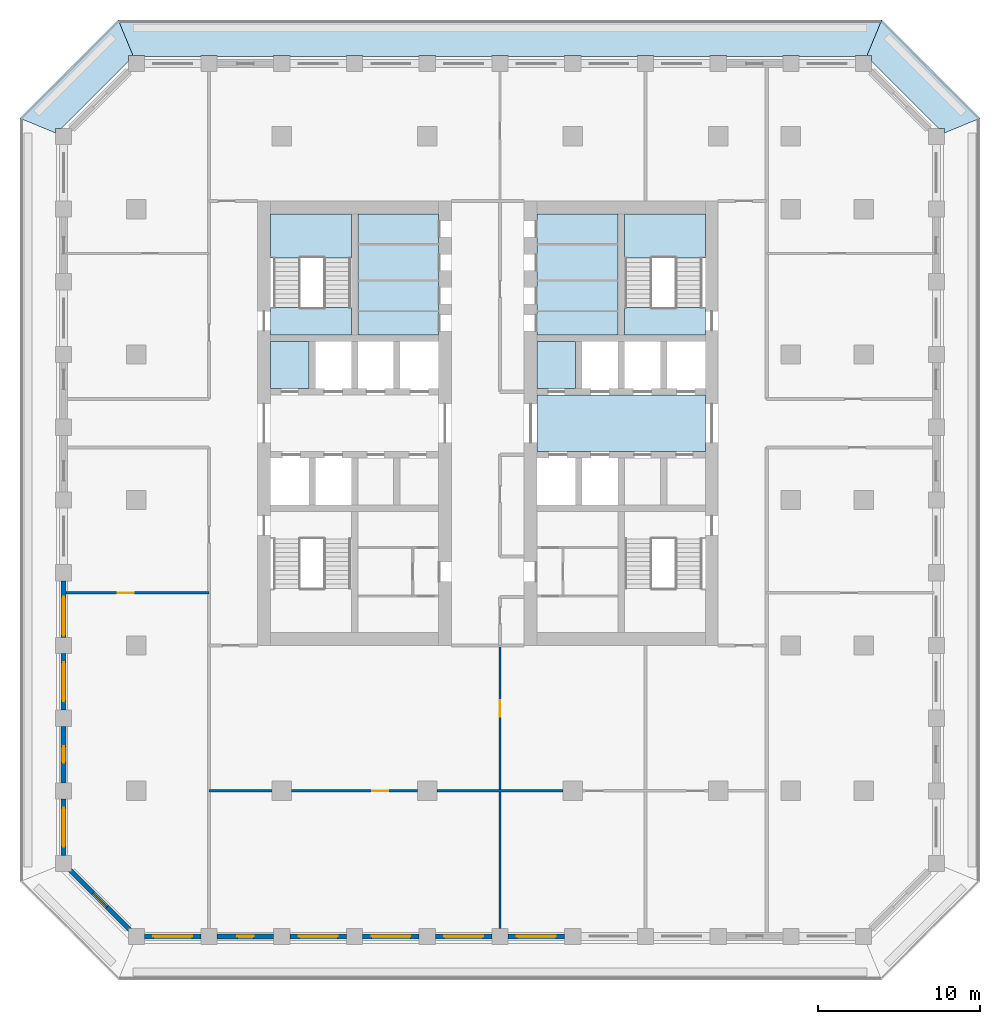
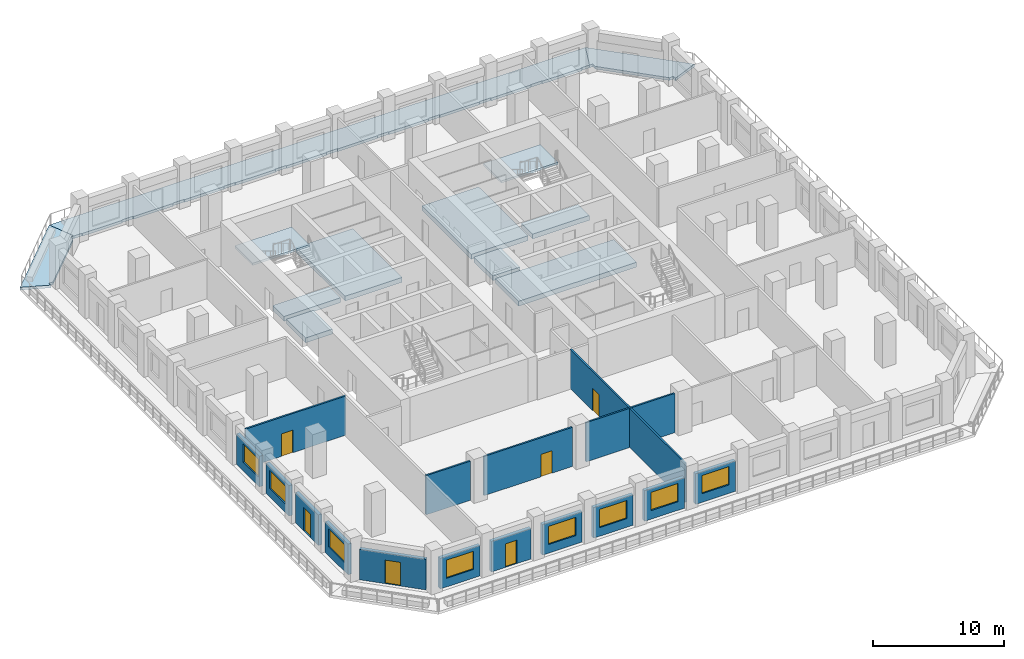
# One storey, part 2 of 16: 16 walls, 12 slabs, 8 windows, 6 doors, 14 openings, 2 elements without a shape of their own.
"""IFC4 building model written with IfcOpenShell, lengths in metres."""

import ifcopenshell
import ifcopenshell.guid

model = None  # the IFC model being written
_history = None  # IfcOwnerHistory: only IFC2X3 demands one
_inside = {}  # id of a spatial element -> (the spatial element, [elements in it])
_under = {}  # id of a project, library or spatial element -> (it, [spatial elements below it])
_declared = {}  # id of a project -> (the project, [libraries it declares])
_typed = {}  # id of a type object -> (the type object, [elements of that type])
_made_of = {}  # id of a material, layer set ... -> (it, [elements and type objects made of it])


def new_model(schema):
    """Start an empty IFC model of exactly this schema.

    Asked for "IFC4X3", IfcOpenShell would pick the latest addendum, in which some entities
    have other attributes; the version numbers below select the first issue.
    IFC2X3 requires an IfcOwnerHistory on every rooted entity: one is made here for all.
    """
    global model, _history
    if schema == "IFC4X3":
        model = ifcopenshell.file(schema_version=(4, 3, 0, 0))
    else:
        model = ifcopenshell.file(schema=schema)
    _inside.clear()
    _under.clear()
    _declared.clear()
    _typed.clear()
    _made_of.clear()
    _history = None
    if model.schema == "IFC2X3":
        org = make("IfcOrganization", Name="unknown")
        user = make(
            "IfcPersonAndOrganization",
            ThePerson=make("IfcPerson", FamilyName="unknown"),
            TheOrganization=org,
        )
        app = make(
            "IfcApplication",
            ApplicationDeveloper=org,
            Version="unknown",
            ApplicationFullName="unknown",
            ApplicationIdentifier="unknown",
        )
        _history = make(
            "IfcOwnerHistory",
            OwningUser=user,
            OwningApplication=app,
            ChangeAction="ADDED",
            CreationDate=0,
        )
    return model


def make(cls, **values):
    """One entity of the class cls with the attributes given. An attribute that is None is left unset."""
    return model.create_entity(
        cls, **{name: value for name, value in values.items() if value is not None}
    )


def rooted(cls, **values):
    """An entity with a GlobalId (a new one), such as an element, a storey or a relation."""
    return make(cls, GlobalId=ifcopenshell.guid.new(), OwnerHistory=_history, **values)


def si_unit(unit_type, name, prefix=None):
    """IfcSIUnit, for example si_unit("LENGTHUNIT", "METRE", prefix="MILLI")."""
    return make("IfcSIUnit", UnitType=unit_type, Prefix=prefix, Name=name)


def assignment(units):
    """IfcUnitAssignment: the units of a project."""
    return None if units is None else make("IfcUnitAssignment", Units=units)


def point(xyz):
    """IfcCartesianPoint."""
    return None if xyz is None else make("IfcCartesianPoint", Coordinates=xyz)


def direction(xyz):
    """IfcDirection."""
    return None if xyz is None else make("IfcDirection", DirectionRatios=xyz)


def frame(location, z_axis=None, x_axis=None):
    """IfcAxis2Placement3D, a coordinate frame: its origin and axes. An axis left out is left unset."""
    return make(
        "IfcAxis2Placement3D",
        Location=point(location),
        Axis=direction(z_axis),
        RefDirection=direction(x_axis),
    )


def frame_2d(location, x_axis=None):
    """IfcAxis2Placement2D, a coordinate frame in the plane: its origin and x axis."""
    return make(
        "IfcAxis2Placement2D", Location=point(location), RefDirection=direction(x_axis)
    )


def origin():
    """The frame at (0, 0, 0) with its axes left unset."""
    return frame((0.0, 0.0, 0.0))


def place(relative_to, where):
    """IfcLocalPlacement: puts the frame where relative to a parent placement (None: the world)."""
    return make(
        "IfcLocalPlacement", PlacementRelTo=relative_to, RelativePlacement=where
    )


def context(
    kind, dimensions, precision=None, world=None, true_north=None, identifier=None
):
    """IfcGeometricRepresentationContext, for example the 3D "Model" context."""
    return make(
        "IfcGeometricRepresentationContext",
        ContextIdentifier=identifier,
        ContextType=kind,
        CoordinateSpaceDimension=dimensions,
        Precision=precision,
        WorldCoordinateSystem=world,
        TrueNorth=true_north,
    )


def subcontext(parent, identifier, kind, view, scale=None):
    """IfcGeometricRepresentationSubContext, for example "Body" below "Model"."""
    return make(
        "IfcGeometricRepresentationSubContext",
        ContextIdentifier=identifier,
        ContextType=kind,
        ParentContext=parent,
        TargetScale=scale,
        TargetView=view,
    )


def project(units=None, contexts=None):
    """IfcProject with its units and contexts."""
    return rooted(
        "IfcProject",
        Name="project",
        RepresentationContexts=contexts,
        UnitsInContext=assignment(units),
    )


def spatial(cls, under=None, at=None, **own):
    """A site, building, storey or space (cls), placed at a placement, below another one or the project."""
    s = rooted(cls, ObjectPlacement=at, **own)
    if under is not None:
        _under.setdefault(under.id(), (under, []))[1].append(s)
    return s


def polyline(points):
    """IfcPolyline through the points."""
    return make("IfcPolyline", Points=[point(p) for p in points])


def profile(cls, at=None, kind="AREA", **sizes):
    """A parametric profile (cls). Its sizes go by their IFC names, for example OverallWidth=200.0."""
    return make(cls, ProfileType=kind, Position=at, **sizes)


def rectangle(**sizes):
    """IfcRectangleProfileDef."""
    return profile("IfcRectangleProfileDef", **sizes)


def outline(outer, holes=None, kind="AREA"):
    """IfcArbitraryClosedProfileDef: a profile drawn as a closed curve; with holes, ...WithVoids."""
    if holes is None:
        return make("IfcArbitraryClosedProfileDef", ProfileType=kind, OuterCurve=outer)
    return make(
        "IfcArbitraryProfileDefWithVoids",
        ProfileType=kind,
        OuterCurve=outer,
        InnerCurves=holes,
    )


def extrude(swept, where, along, depth):
    """IfcExtrudedAreaSolid: the profile swept, set in the frame where, extruded along a direction by depth."""
    return make(
        "IfcExtrudedAreaSolid",
        SweptArea=swept,
        Position=where,
        ExtrudedDirection=direction(along),
        Depth=depth,
    )


def shape(context_of_items, identifier, shape_type, items):
    """IfcShapeRepresentation: the items that make up one representation, for example the "Body"."""
    return make(
        "IfcShapeRepresentation",
        ContextOfItems=context_of_items,
        RepresentationIdentifier=identifier,
        RepresentationType=shape_type,
        Items=items,
    )


def material(Name=None, Category=None):
    """IfcMaterial."""
    return make("IfcMaterial", Name=Name, Category=Category)


def layer(
    of_material, thickness, ventilated=None, Name=None, Category=None, Priority=None
):
    """IfcMaterialLayer: one layer of a wall or slab, of a material (None: an air gap)."""
    return make(
        "IfcMaterialLayer",
        Material=of_material,
        LayerThickness=thickness,
        IsVentilated=ventilated,
        Name=Name,
        Category=Category,
        Priority=Priority,
    )


def layer_set(layers, Name=None):
    """IfcMaterialLayerSet."""
    return make("IfcMaterialLayerSet", MaterialLayers=layers, LayerSetName=Name)


def made_of(thing, what):
    """Note that an element or type object is made of a material, layer set ...; save() writes the relation."""
    if what is not None:
        _made_of.setdefault(what.id(), (what, []))[1].append(thing)
    return thing


def type_object(cls, material=None, **own):
    """A type object (cls), such as IfcWallType, which elements share."""
    return made_of(rooted(cls, **own), material)


def element(
    cls,
    number,
    at=None,
    inside=None,
    cuts=None,
    type_object=None,
    material=None,
    context=None,
    identifier="Body",
    shape_type=None,
    held_by="IfcProductDefinitionShape",
    body=None,
    shapes=None,
    **own,
):
    """One element of the class cls, such as IfcWall. Its Tag is "e" and its number.

    at: its placement. inside: the storey or other place that contains it. cuts: it is an
    opening in that element (IfcRelVoidsElement). A single representation is given by context,
    identifier, shape_type and body (its items); several are given by shapes. held_by: the class
    of the entity that holds the representations. save() writes the other relations.
    """
    e = rooted(cls, Tag="e%d" % number, ObjectPlacement=at, **own)
    if body is not None:
        shapes = [shape(context, identifier, shape_type, body)]
    if shapes is not None:
        e.Representation = make(held_by, Representations=shapes)
    if inside is not None:
        _inside.setdefault(inside.id(), (inside, []))[1].append(e)
    if cuts is not None:
        rooted(
            "IfcRelVoidsElement", RelatingBuildingElement=cuts, RelatedOpeningElement=e
        )
    if type_object is not None:
        _typed.setdefault(type_object.id(), (type_object, []))[1].append(e)
    return made_of(e, material)


def fill(opening, filler):
    """IfcRelFillsElement: the door or window that sits in an opening."""
    return rooted(
        "IfcRelFillsElement",
        RelatingOpeningElement=opening,
        RelatedBuildingElement=filler,
    )


def aggregate(whole, parts):
    """IfcRelAggregates: a whole, such as a stair, and the parts it consists of."""
    return rooted("IfcRelAggregates", RelatingObject=whole, RelatedObjects=parts)


def save(model, path):
    """Write the relations noted so far, then the file.

    IfcRelAggregates (storeys below a building ...), IfcRelContainedInSpatialStructure (elements
    in a storey), IfcRelDefinesByType, IfcRelAssociatesMaterial and IfcRelDeclares: one each for
    every whole, place, type object, material and project.
    """
    for whole, parts in _under.values():
        aggregate(whole, parts)
    for where, things in _inside.values():
        rooted(
            "IfcRelContainedInSpatialStructure",
            RelatedElements=things,
            RelatingStructure=where,
        )
    for kind, things in _typed.values():
        rooted("IfcRelDefinesByType", RelatedObjects=things, RelatingType=kind)
    for what, things in _made_of.values():
        rooted("IfcRelAssociatesMaterial", RelatedObjects=things, RelatingMaterial=what)
    for by, libraries in _declared.values():
        rooted("IfcRelDeclares", RelatingContext=by, RelatedDefinitions=libraries)
    model.write(path)


model = new_model("IFC4")

# Units and contexts
model_context = context("Model", 3, precision=1e-05, world=origin(), true_north=direction((0.0, 1.0)))
body_context = subcontext(model_context, "Body", "Model", "MODEL_VIEW")
ifc_project = project(units=[si_unit("LENGTHUNIT", "METRE"), si_unit("AREAUNIT", "SQUARE_METRE"), si_unit("VOLUMEUNIT", "CUBIC_METRE"), si_unit("PLANEANGLEUNIT", "RADIAN"), si_unit("MASSUNIT", "GRAM", prefix="KILO")], contexts=[model_context])

# Site, building, storey
site_placement = place(None, origin())
site = spatial("IfcSite", under=ifc_project, at=site_placement, CompositionType="ELEMENT")
building_placement = place(site_placement, origin())
building = spatial("IfcBuilding", under=site, at=building_placement, Name="Corbel Stack Research Tower", CompositionType="ELEMENT")
storey_placement = place(building_placement, frame((0.0, 0.0, 195.60009765625)))
storey = spatial("IfcBuildingStorey", under=building, at=storey_placement, Name="L44", CompositionType="ELEMENT", Elevation=195.60009765625)

# Slabs
ifc_material_1 = material(Name="Concrete C45/55", Category="concrete")
ifc_layer_1 = layer(ifc_material_1, 0.25)
ifc_layer_set_1 = layer_set([ifc_layer_1], Name="Concrete C45/55")
slab_type_1 = type_object("IfcSlabType", Name="PT balcony slab 250 C45/55", PredefinedType="FLOOR", material=ifc_layer_set_1)
slab_1_placement = place(storey_placement, frame((0.0, 0.0, -0.25)))
element("IfcSlab", 1, at=slab_1_placement, inside=storey, type_object=slab_type_1, Name="Loggia slab L44 NE", PredefinedType="FLOOR", context=body_context, shape_type="SweptSolid", body=[
    extrude(outline(polyline([(27.20703125, 27.5), (27.5, 27.5), (27.5, 27.136474609375), (31.636474609375, 23.0), (32.0, 23.0), (32.0, 22.70703125), (34.199951171875, 23.618408203125), (28.118408203125, 29.699951171875), (27.20703125, 27.5)])), origin(), (0.0, 0.0, 1.0), 0.25),
])
slab_2_placement = place(storey_placement, frame((0.0, 0.0, -0.25)))
element("IfcSlab", 2, at=slab_2_placement, inside=storey, type_object=slab_type_1, Name="Loggia slab L44 N", PredefinedType="FLOOR", context=body_context, shape_type="SweptSolid", body=[
    extrude(outline(polyline([(-18.20703125, 27.5), (-17.5, 27.5), (-17.5, 27.449951171875), (-14.0, 27.449951171875), (-14.0, 27.5), (-13.0, 27.5), (-13.0, 27.449951171875), (-9.5, 27.449951171875), (-9.5, 27.5), (-8.5, 27.5), (-8.5, 27.449951171875), (-5.0, 27.449951171875), (-5.0, 27.5), (-4.0, 27.5), (-4.0, 27.449951171875), (-0.5, 27.449951171875), (-0.5, 27.5), (0.5, 27.5), (0.5, 27.449951171875), (4.0, 27.449951171875), (4.0, 27.5), (5.0, 27.5), (5.0, 27.449951171875), (8.5, 27.449951171875), (8.5, 27.5), (9.5, 27.5), (9.5, 27.449951171875), (13.0, 27.449951171875), (13.0, 27.5), (14.0, 27.5), (14.0, 27.449951171875), (17.5, 27.449951171875), (17.5, 27.5), (18.5, 27.5), (18.5, 27.449951171875), (22.0, 27.449951171875), (22.0, 27.5), (23.0, 27.5), (23.0, 27.449951171875), (26.5, 27.449951171875), (26.5, 27.5), (27.20703125, 27.5), (28.118408203125, 29.699951171875), (-19.118408203125, 29.699951171875), (-18.20703125, 27.5)])), origin(), (0.0, 0.0, 1.0), 0.25),
])
slab_3_placement = place(storey_placement, frame((0.0, 0.0, -0.25)))
element("IfcSlab", 3, at=slab_3_placement, inside=storey, type_object=slab_type_1, Name="Loggia slab L44 NW", PredefinedType="FLOOR", context=body_context, shape_type="SweptSolid", body=[
    extrude(outline(polyline([(-23.0, 22.70703125), (-23.0, 23.0), (-22.636474609375, 23.0), (-18.5, 27.136474609375), (-18.5, 27.5), (-18.20703125, 27.5), (-19.118408203125, 29.699951171875), (-25.199951171875, 23.618408203125), (-23.0, 22.70703125)])), origin(), (0.0, 0.0, 1.0), 0.25),
])
ifc_material_2 = material(Name="Concrete C45/55", Category="concrete")
ifc_layer_2 = layer(ifc_material_2, 0.449951171875)
ifc_layer_set_2 = layer_set([ifc_layer_2], Name="Concrete C45/55")
slab_type_2 = type_object("IfcSlabType", Name="PT-450", PredefinedType="FLOOR", material=ifc_layer_set_2)
slab_4_placement = place(storey_placement, frame((0.0, 0.0, -0.4501953125)))
element("IfcSlab", 4, at=slab_4_placement, inside=storey, type_object=slab_type_2, Name="West core floor L44", PredefinedType="FLOOR", context=body_context, shape_type="SweptSolid", body=[
    extrude(outline(polyline([(-9.699951171875, 6.89990234375), (-7.324951171875, 6.89990234375), (-7.324951171875, 9.800048828125), (-9.699951171875, 9.800048828125), (-9.699951171875, 6.89990234375)])), origin(), (0.0, 0.0, 1.0), 0.4501953125),
])
slab_5_placement = place(storey_placement, frame((0.0, 0.0, -0.4501953125)))
element("IfcSlab", 5, at=slab_5_placement, inside=storey, type_object=slab_type_2, Name="West core floor L44", PredefinedType="FLOOR", context=body_context, shape_type="SweptSolid", body=[
    extrude(outline(polyline([(0.699951171875, 17.699951171875), (-4.300048828125, 17.699951171875), (-4.300048828125, 10.199951171875), (0.699951171875, 10.199951171875), (0.699951171875, 17.699951171875)])), origin(), (0.0, 0.0, 1.0), 0.4501953125),
])
slab_6_placement = place(storey_placement, frame((0.0, 0.0, -0.4501953125)))
element("IfcSlab", 6, at=slab_6_placement, inside=storey, type_object=slab_type_2, Name="East core floor L44", PredefinedType="FLOOR", context=body_context, shape_type="SweptSolid", body=[
    extrude(outline(polyline([(17.199951171875, 6.5), (6.800048828125, 6.5), (6.800048828125, 3.0), (17.199951171875, 3.0), (17.199951171875, 6.5)])), origin(), (0.0, 0.0, 1.0), 0.4501953125),
])
slab_7_placement = place(storey_placement, frame((0.0, 0.0, -0.4501953125)))
element("IfcSlab", 7, at=slab_7_placement, inside=storey, type_object=slab_type_2, Name="East core floor L44", PredefinedType="FLOOR", context=body_context, shape_type="SweptSolid", body=[
    extrude(outline(polyline([(6.800048828125, 6.89990234375), (9.175048828125, 6.89990234375), (9.175048828125, 9.800048828125), (6.800048828125, 9.800048828125), (6.800048828125, 6.89990234375)])), origin(), (0.0, 0.0, 1.0), 0.4501953125),
])
slab_8_placement = place(storey_placement, frame((0.0, 0.0, -0.4501953125)))
element("IfcSlab", 8, at=slab_8_placement, inside=storey, type_object=slab_type_2, Name="East core floor L44", PredefinedType="FLOOR", context=body_context, shape_type="SweptSolid", body=[
    extrude(outline(polyline([(6.800048828125, 17.699951171875), (6.800048828125, 10.199951171875), (11.800048828125, 10.199951171875), (11.800048828125, 17.699951171875), (6.800048828125, 17.699951171875)])), origin(), (0.0, 0.0, 1.0), 0.4501953125),
])
slab_9_placement = place(storey_placement, frame((0.0, 0.0, -0.4501953125)))
element("IfcSlab", 9, at=slab_9_placement, inside=storey, type_object=slab_type_2, Name="Stair floor landing ST-W2", PredefinedType="FLOOR", context=body_context, shape_type="SweptSolid", body=[
    extrude(outline(polyline([(-9.699951171875, 10.199951171875), (-4.699951171875, 10.199951171875), (-4.699951171875, 11.89990234375), (-9.699951171875, 11.89990234375), (-9.699951171875, 10.199951171875)])), origin(), (0.0, 0.0, 1.0), 0.4501953125),
])
slab_10_placement = place(storey_placement, frame((0.0, 0.0, -0.4501953125)))
element("IfcSlab", 10, at=slab_10_placement, inside=storey, type_object=slab_type_2, Name="Stair floor landing ST-E2", PredefinedType="FLOOR", context=body_context, shape_type="SweptSolid", body=[
    extrude(outline(polyline([(12.199951171875, 10.199951171875), (17.199951171875, 10.199951171875), (17.199951171875, 11.89990234375), (12.199951171875, 11.89990234375), (12.199951171875, 10.199951171875)])), origin(), (0.0, 0.0, 1.0), 0.4501953125),
])

# Stair, slab
ifc_material_3 = material(Name="Concrete C40/50", Category="concrete")
stair_type = type_object("IfcStairType", Name="Exit stair 24 risers", PredefinedType="HALF_TURN_STAIR", material=ifc_material_3)
stair_1_placement = place(storey_placement, origin())
stair_1 = element("IfcStair", 11, at=stair_1_placement, inside=storey, type_object=stair_type, Name="L44 Exit stair ST-W2", PredefinedType="HALF_TURN_STAIR")
ifc_material_4 = material(Name="Concrete C40/50", Category="concrete")
ifc_layer_3 = layer(ifc_material_4, 0.199951171875)
ifc_layer_set_3 = layer_set([ifc_layer_3], Name="Concrete C40/50")
slab_type_3 = type_object("IfcSlabType", Name="Stair landing 200 C40/50", PredefinedType="LANDING", material=ifc_layer_set_3)
slab_11_placement = place(storey_placement, frame((0.0, 0.0, 1.849853515625)))
slab_11 = element("IfcSlab", 12, at=slab_11_placement, type_object=slab_type_3, Name="ST-W2 landing 1", PredefinedType="LANDING", context=body_context, shape_type="SweptSolid", body=[
    extrude(outline(polyline([(-9.699951171875, 14.97998046875), (-9.699951171875, 17.699951171875), (-4.699951171875, 17.699951171875), (-4.699951171875, 14.97998046875), (-9.699951171875, 14.97998046875)])), origin(), (0.0, 0.0, 1.0), 0.199951171875),
])
aggregate(stair_1, [slab_11])

stair_2_placement = place(storey_placement, origin())
stair_2 = element("IfcStair", 13, at=stair_2_placement, inside=storey, type_object=stair_type, Name="L44 Exit stair ST-E2", PredefinedType="HALF_TURN_STAIR")
slab_12_placement = place(storey_placement, frame((0.0, 0.0, 1.849853515625)))
slab_12 = element("IfcSlab", 14, at=slab_12_placement, type_object=slab_type_3, Name="ST-E2 landing 1", PredefinedType="LANDING", context=body_context, shape_type="SweptSolid", body=[
    extrude(outline(polyline([(12.199951171875, 14.97998046875), (12.199951171875, 17.699951171875), (17.199951171875, 17.699951171875), (17.199951171875, 14.97998046875), (12.199951171875, 14.97998046875)])), origin(), (0.0, 0.0, 1.0), 0.199951171875),
])
aggregate(stair_2, [slab_12])

# Wall, opening, door
ifc_material_5 = material(Name="Fire-rated gypsum board partition on steel studs", Category="steel")
ifc_layer_4 = layer(ifc_material_5, 0.14990234375)
ifc_layer_set_4 = layer_set([ifc_layer_4], Name="Fire-rated gypsum board partition on steel studs")
wall_type_1 = type_object("IfcWallType", Name="Fire-rated partition 150 EI 60", PredefinedType="PARTITIONING", material=ifc_layer_set_4)
wall_1_placement = place(storey_placement, frame((4.5, -9.0, 0.0), z_axis=(0.0, 0.0, 1.0), x_axis=(0.0, -1.0, 0.0)))
wall_1 = element("IfcWall", 15, at=wall_1_placement, inside=storey, type_object=wall_type_1, Name="Partition L44-003", PredefinedType="PARTITIONING", context=body_context, shape_type="SweptSolid", body=[
    extrude(rectangle(XDim=17.5, YDim=0.14990234375, at=frame_2d((8.75, 0.0))), origin(), (0.0, 0.0, 1.0), 3.64990234375),
])
opening_1_placement = place(wall_1_placement, frame((3.39990234375, 0.0, 0.0)))
opening_1 = element("IfcOpeningElement", 16, at=opening_1_placement, cuts=wall_1, Name="Opening B6V0-011", PredefinedType="OPENING", context=body_context, shape_type="SweptSolid", body=[
    extrude(rectangle(XDim=1.0, YDim=2.10009765625, at=frame_2d((0.5, 1.050048828125))), frame((0.0, 0.0849609375, 0.0), z_axis=(0.0, -1.0, 0.0), x_axis=(1.0, 0.0, 0.0)), (0.0, 0.0, 1.0), 0.169921875),
])
ifc_material_6 = material(Name="Painted steel fire door", Category="steel")
door_type_1 = type_object("IfcDoorType", Name="Fire door FD30S 1000 x 2100", OperationType="NOTDEFINED", PredefinedType="DOOR", material=ifc_material_6)
door_1_placement = place(opening_1_placement, origin())
door_1 = element("IfcDoor", 17, at=door_1_placement, inside=storey, type_object=door_type_1, Name="Door B6V0-011", OperationType="SINGLE_SWING_LEFT", OverallHeight=2.10009765625, OverallWidth=1.0, PredefinedType="DOOR", context=body_context, shape_type="SweptSolid", body=[
    extrude(rectangle(XDim=1.0, YDim=2.10009765625, at=frame_2d((0.5, 1.050048828125))), frame((0.0, 0.02490234375, 0.0), z_axis=(0.0, -1.0, 0.0), x_axis=(1.0, 0.0, 0.0)), (0.0, 0.0, 1.0), 0.050048828125),
])
fill(opening_1, door_1)

# Wall
ifc_material_7 = material(Name="Gypsum board partition on steel studs", Category="steel")
ifc_layer_5 = layer(ifc_material_7, 0.14990234375)
ifc_layer_set_5 = layer_set([ifc_layer_5], Name="Gypsum board partition on steel studs")
wall_type_2 = type_object("IfcWallType", Name="Partition 150", PredefinedType="PARTITIONING", material=ifc_layer_set_5)
wall_2_placement = place(storey_placement, frame((-13.5, -18.0, 0.0), z_axis=(0.0, 0.0, 1.0), x_axis=(1.0, 0.0, 0.0)))
element("IfcWall", 18, at=wall_2_placement, inside=storey, type_object=wall_type_2, Name="Partition L44-012", PredefinedType="PARTITIONING", context=body_context, shape_type="SweptSolid", body=[
    extrude(rectangle(XDim=3.89990234375, YDim=0.14990234375, at=frame_2d((1.949951171875, 0.0))), origin(), (0.0, 0.0, 1.0), 3.64990234375),
])

# Wall, opening, door
wall_3_placement = place(storey_placement, frame((-0.60009765625, -18.0, 0.0), z_axis=(0.0, 0.0, 1.0), x_axis=(-1.0, 0.0, 0.0)))
wall_3 = element("IfcWall", 19, at=wall_3_placement, inside=storey, type_object=wall_type_2, Name="Partition L44-013", PredefinedType="PARTITIONING", context=body_context, shape_type="SweptSolid", body=[
    extrude(rectangle(XDim=7.7998046875, YDim=0.14990234375, at=frame_2d((3.89990234375, 0.0))), origin(), (0.0, 0.0, 1.0), 3.64990234375),
])
opening_2_placement = place(wall_3_placement, frame((1.800048828125, 0.0, 0.0)))
opening_2 = element("IfcOpeningElement", 20, at=opening_2_placement, cuts=wall_3, Name="Opening B6V0-001", PredefinedType="OPENING", context=body_context, shape_type="SweptSolid", body=[
    extrude(rectangle(XDim=1.0, YDim=2.10009765625, at=frame_2d((0.5, 1.050048828125))), frame((0.0, 0.0849609375, 0.0), z_axis=(0.0, -1.0, 0.0), x_axis=(1.0, 0.0, 0.0)), (0.0, 0.0, 1.0), 0.169921875),
])
ifc_material_8 = material(Name="Painted timber door", Category="wood")
door_type_2 = type_object("IfcDoorType", Name="Single door 1000 x 2100", OperationType="NOTDEFINED", PredefinedType="DOOR", material=ifc_material_8)
door_2_placement = place(opening_2_placement, origin())
door_2 = element("IfcDoor", 21, at=door_2_placement, inside=storey, type_object=door_type_2, Name="Door B6V0-001", OperationType="SINGLE_SWING_LEFT", OverallHeight=2.10009765625, OverallWidth=1.0, PredefinedType="DOOR", context=body_context, shape_type="SweptSolid", body=[
    extrude(rectangle(XDim=1.0, YDim=2.10009765625, at=frame_2d((0.5, 1.050048828125))), frame((0.0, 0.02490234375, 0.0), z_axis=(0.0, -1.0, 0.0), x_axis=(1.0, 0.0, 0.0)), (0.0, 0.0, 1.0), 0.050048828125),
])
fill(opening_2, door_2)

# Wall
wall_4_placement = place(storey_placement, frame((0.60009765625, -18.0, 0.0), z_axis=(0.0, 0.0, 1.0), x_axis=(1.0, 0.0, 0.0)))
element("IfcWall", 22, at=wall_4_placement, inside=storey, type_object=wall_type_2, Name="Partition L44-014", PredefinedType="PARTITIONING", context=body_context, shape_type="SweptSolid", body=[
    extrude(rectangle(XDim=7.7998046875, YDim=0.14990234375, at=frame_2d((3.89990234375, 0.0))), origin(), (0.0, 0.0, 1.0), 3.64990234375),
])

# Wall, opening, door
wall_5_placement = place(storey_placement, frame((-13.5, -5.75, 0.0), z_axis=(0.0, 0.0, 1.0), x_axis=(-1.0, 0.0, 0.0)))
wall_5 = element("IfcWall", 23, at=wall_5_placement, inside=storey, type_object=wall_type_2, Name="Partition L44-021", PredefinedType="PARTITIONING", context=body_context, shape_type="SweptSolid", body=[
    extrude(rectangle(XDim=8.85009765625, YDim=0.14990234375, at=frame_2d((4.425048828125, 0.0))), origin(), (0.0, 0.0, 1.0), 3.64990234375),
])
opening_3_placement = place(wall_5_placement, frame((4.64990234375, 0.0, 0.0)))
opening_3 = element("IfcOpeningElement", 24, at=opening_3_placement, cuts=wall_5, Name="Opening B6V0-008", PredefinedType="OPENING", context=body_context, shape_type="SweptSolid", body=[
    extrude(rectangle(XDim=1.0, YDim=2.10009765625, at=frame_2d((0.5, 1.050048828125))), frame((0.0, 0.0849609375, 0.0), z_axis=(0.0, -1.0, 0.0), x_axis=(1.0, 0.0, 0.0)), (0.0, 0.0, 1.0), 0.169921875),
])
door_3_placement = place(opening_3_placement, origin())
door_3 = element("IfcDoor", 25, at=door_3_placement, inside=storey, type_object=door_type_2, Name="Door B6V0-008", OperationType="SINGLE_SWING_RIGHT", OverallHeight=2.10009765625, OverallWidth=1.0, PredefinedType="DOOR", context=body_context, shape_type="SweptSolid", body=[
    extrude(rectangle(XDim=1.0, YDim=2.10009765625, at=frame_2d((0.5, 1.050048828125))), frame((0.0, 0.02490234375, 0.0), z_axis=(0.0, -1.0, 0.0), x_axis=(1.0, 0.0, 0.0)), (0.0, 0.0, 1.0), 0.050048828125),
])
fill(opening_3, door_3)

# Wall, opening, window
ifc_material_9 = material(Name="Concrete C45/55", Category="concrete")
ifc_layer_6 = layer(ifc_material_9, 0.300048828125)
ifc_layer_set_6 = layer_set([ifc_layer_6], Name="Concrete C45/55")
wall_type_3 = type_object("IfcWallType", Name="Terracotta-faced concrete wall 300", PredefinedType="SOLIDWALL", material=ifc_layer_set_6)
wall_6_placement = place(storey_placement, frame((-14.0, -27.0, 0.0), z_axis=(0.0, 0.0, 1.0), x_axis=(-1.0, 0.0, 0.0)))
wall_6 = element("IfcWall", 26, at=wall_6_placement, inside=storey, type_object=wall_type_3, Name="Facade wall L44 S01", PredefinedType="SOLIDWALL", context=body_context, shape_type="SweptSolid", body=[
    extrude(rectangle(XDim=3.5, YDim=0.300048828125, at=frame_2d((1.75, 0.0))), origin(), (0.0, 0.0, 1.0), 2.849853515625),
])
opening_4_placement = place(wall_6_placement, frame((0.550048828125, 0.0, 0.800048828125)))
opening_4 = element("IfcOpeningElement", 27, at=opening_4_placement, cuts=wall_6, Name="Opening W1", PredefinedType="OPENING", context=body_context, shape_type="SweptSolid", body=[
    extrude(rectangle(XDim=2.39990234375, YDim=1.699951171875, at=frame_2d((1.199951171875, 0.85009765625))), frame((0.0, 0.159912109375, 0.0), z_axis=(0.0, -1.0, 0.0), x_axis=(1.0, 0.0, 0.0)), (0.0, 0.0, 1.0), 0.320068359375),
])
ifc_material_10 = material(Name="Aluminium frame, clear double glazing", Category="aluminium")
window_type = type_object("IfcWindowType", Name="Window W1 2400 x 1700", PartitioningType="SINGLE_PANEL", PredefinedType="WINDOW", material=ifc_material_10)
window_1_placement = place(opening_4_placement, origin())
window_1 = element("IfcWindow", 28, at=window_1_placement, inside=storey, type_object=window_type, Name="Window W1 L44 S01", OverallHeight=1.699951171875, OverallWidth=2.39990234375, PartitioningType="SINGLE_PANEL", PredefinedType="WINDOW", context=body_context, shape_type="SweptSolid", body=[
    extrude(rectangle(XDim=2.39990234375, YDim=1.699951171875, at=frame_2d((1.199951171875, 0.85009765625))), frame((0.0, 0.030029296875, 0.0), z_axis=(0.0, -1.0, 0.0), x_axis=(1.0, 0.0, 0.0)), (0.0, 0.0, 1.0), 0.06005859375),
])
fill(opening_4, window_1)

# Wall, opening, door
wall_7_placement = place(storey_placement, frame((-9.5, -27.0, 0.0), z_axis=(0.0, 0.0, 1.0), x_axis=(-1.0, 0.0, 0.0)))
wall_7 = element("IfcWall", 29, at=wall_7_placement, inside=storey, type_object=wall_type_3, Name="Facade wall L44 S02", PredefinedType="SOLIDWALL", context=body_context, shape_type="SweptSolid", body=[
    extrude(rectangle(XDim=3.5, YDim=0.300048828125, at=frame_2d((1.75, 0.0))), origin(), (0.0, 0.0, 1.0), 2.849853515625),
])
opening_5_placement = place(wall_7_placement, frame((1.25, 0.0, 0.0)))
opening_5 = element("IfcOpeningElement", 30, at=opening_5_placement, cuts=wall_7, Name="Opening L44-B01", PredefinedType="OPENING", context=body_context, shape_type="SweptSolid", body=[
    extrude(rectangle(XDim=1.0, YDim=2.199951171875, at=frame_2d((0.5, 1.10009765625))), frame((0.0, 0.159912109375, 0.0), z_axis=(0.0, -1.0, 0.0), x_axis=(1.0, 0.0, 0.0)), (0.0, 0.0, 1.0), 0.320068359375),
])
ifc_material_11 = material(Name="Aluminium frame, clear double glazing", Category="aluminium")
door_type_3 = type_object("IfcDoorType", Name="Balcony door BD1 1000 x 2200", OperationType="NOTDEFINED", PredefinedType="DOOR", material=ifc_material_11)
door_4_placement = place(opening_5_placement, origin())
door_4 = element("IfcDoor", 31, at=door_4_placement, inside=storey, type_object=door_type_3, Name="Balcony door L44-B01", OperationType="SINGLE_SWING_RIGHT", OverallHeight=2.199951171875, OverallWidth=1.0, PredefinedType="DOOR", context=body_context, shape_type="SweptSolid", body=[
    extrude(rectangle(XDim=1.0, YDim=2.199951171875, at=frame_2d((0.5, 1.10009765625))), frame((0.0, 0.02490234375, 0.0), z_axis=(0.0, -1.0, 0.0), x_axis=(1.0, 0.0, 0.0)), (0.0, 0.0, 1.0), 0.050048828125),
])
fill(opening_5, door_4)

# Wall, opening, window
wall_8_placement = place(storey_placement, frame((-5.0, -27.0, 0.0), z_axis=(0.0, 0.0, 1.0), x_axis=(-1.0, 0.0, 0.0)))
wall_8 = element("IfcWall", 32, at=wall_8_placement, inside=storey, type_object=wall_type_3, Name="Facade wall L44 S03", PredefinedType="SOLIDWALL", context=body_context, shape_type="SweptSolid", body=[
    extrude(rectangle(XDim=3.5, YDim=0.300048828125, at=frame_2d((1.75, 0.0))), origin(), (0.0, 0.0, 1.0), 2.849853515625),
])
opening_6_placement = place(wall_8_placement, frame((0.550048828125, 0.0, 0.800048828125)))
opening_6 = element("IfcOpeningElement", 33, at=opening_6_placement, cuts=wall_8, Name="Opening W1", PredefinedType="OPENING", context=body_context, shape_type="SweptSolid", body=[
    extrude(rectangle(XDim=2.39990234375, YDim=1.699951171875, at=frame_2d((1.199951171875, 0.85009765625))), frame((0.0, 0.159912109375, 0.0), z_axis=(0.0, -1.0, 0.0), x_axis=(1.0, 0.0, 0.0)), (0.0, 0.0, 1.0), 0.320068359375),
])
window_2_placement = place(opening_6_placement, origin())
window_2 = element("IfcWindow", 34, at=window_2_placement, inside=storey, type_object=window_type, Name="Window W1 L44 S03", OverallHeight=1.699951171875, OverallWidth=2.39990234375, PartitioningType="SINGLE_PANEL", PredefinedType="WINDOW", context=body_context, shape_type="SweptSolid", body=[
    extrude(rectangle(XDim=2.39990234375, YDim=1.699951171875, at=frame_2d((1.199951171875, 0.85009765625))), frame((0.0, 0.030029296875, 0.0), z_axis=(0.0, -1.0, 0.0), x_axis=(1.0, 0.0, 0.0)), (0.0, 0.0, 1.0), 0.06005859375),
])
fill(opening_6, window_2)

wall_9_placement = place(storey_placement, frame((-0.5, -27.0, 0.0), z_axis=(0.0, 0.0, 1.0), x_axis=(-1.0, 0.0, 0.0)))
wall_9 = element("IfcWall", 35, at=wall_9_placement, inside=storey, type_object=wall_type_3, Name="Facade wall L44 S04", PredefinedType="SOLIDWALL", context=body_context, shape_type="SweptSolid", body=[
    extrude(rectangle(XDim=3.5, YDim=0.300048828125, at=frame_2d((1.75, 0.0))), origin(), (0.0, 0.0, 1.0), 2.849853515625),
])
opening_7_placement = place(wall_9_placement, frame((0.550048828125, 0.0, 0.800048828125)))
opening_7 = element("IfcOpeningElement", 36, at=opening_7_placement, cuts=wall_9, Name="Opening W1", PredefinedType="OPENING", context=body_context, shape_type="SweptSolid", body=[
    extrude(rectangle(XDim=2.39990234375, YDim=1.699951171875, at=frame_2d((1.199951171875, 0.85009765625))), frame((0.0, 0.159912109375, 0.0), z_axis=(0.0, -1.0, 0.0), x_axis=(1.0, 0.0, 0.0)), (0.0, 0.0, 1.0), 0.320068359375),
])
window_3_placement = place(opening_7_placement, origin())
window_3 = element("IfcWindow", 37, at=window_3_placement, inside=storey, type_object=window_type, Name="Window W1 L44 S04", OverallHeight=1.699951171875, OverallWidth=2.39990234375, PartitioningType="SINGLE_PANEL", PredefinedType="WINDOW", context=body_context, shape_type="SweptSolid", body=[
    extrude(rectangle(XDim=2.39990234375, YDim=1.699951171875, at=frame_2d((1.199951171875, 0.85009765625))), frame((0.0, 0.030029296875, 0.0), z_axis=(0.0, -1.0, 0.0), x_axis=(1.0, 0.0, 0.0)), (0.0, 0.0, 1.0), 0.06005859375),
])
fill(opening_7, window_3)

wall_10_placement = place(storey_placement, frame((4.0, -27.0, 0.0), z_axis=(0.0, 0.0, 1.0), x_axis=(-1.0, 0.0, 0.0)))
wall_10 = element("IfcWall", 38, at=wall_10_placement, inside=storey, type_object=wall_type_3, Name="Facade wall L44 S05", PredefinedType="SOLIDWALL", context=body_context, shape_type="SweptSolid", body=[
    extrude(rectangle(XDim=3.5, YDim=0.300048828125, at=frame_2d((1.75, 0.0))), origin(), (0.0, 0.0, 1.0), 2.849853515625),
])
opening_8_placement = place(wall_10_placement, frame((0.550048828125, 0.0, 0.800048828125)))
opening_8 = element("IfcOpeningElement", 39, at=opening_8_placement, cuts=wall_10, Name="Opening W1", PredefinedType="OPENING", context=body_context, shape_type="SweptSolid", body=[
    extrude(rectangle(XDim=2.39990234375, YDim=1.699951171875, at=frame_2d((1.199951171875, 0.85009765625))), frame((0.0, 0.159912109375, 0.0), z_axis=(0.0, -1.0, 0.0), x_axis=(1.0, 0.0, 0.0)), (0.0, 0.0, 1.0), 0.320068359375),
])
window_4_placement = place(opening_8_placement, origin())
window_4 = element("IfcWindow", 40, at=window_4_placement, inside=storey, type_object=window_type, Name="Window W1 L44 S05", OverallHeight=1.699951171875, OverallWidth=2.39990234375, PartitioningType="SINGLE_PANEL", PredefinedType="WINDOW", context=body_context, shape_type="SweptSolid", body=[
    extrude(rectangle(XDim=2.39990234375, YDim=1.699951171875, at=frame_2d((1.199951171875, 0.85009765625))), frame((0.0, 0.030029296875, 0.0), z_axis=(0.0, -1.0, 0.0), x_axis=(1.0, 0.0, 0.0)), (0.0, 0.0, 1.0), 0.06005859375),
])
fill(opening_8, window_4)

wall_11_placement = place(storey_placement, frame((8.5, -27.0, 0.0), z_axis=(0.0, 0.0, 1.0), x_axis=(-1.0, 0.0, 0.0)))
wall_11 = element("IfcWall", 41, at=wall_11_placement, inside=storey, type_object=wall_type_3, Name="Facade wall L44 S06", PredefinedType="SOLIDWALL", context=body_context, shape_type="SweptSolid", body=[
    extrude(rectangle(XDim=3.5, YDim=0.300048828125, at=frame_2d((1.75, 0.0))), origin(), (0.0, 0.0, 1.0), 2.849853515625),
])
opening_9_placement = place(wall_11_placement, frame((0.550048828125, 0.0, 0.800048828125)))
opening_9 = element("IfcOpeningElement", 42, at=opening_9_placement, cuts=wall_11, Name="Opening W1", PredefinedType="OPENING", context=body_context, shape_type="SweptSolid", body=[
    extrude(rectangle(XDim=2.39990234375, YDim=1.699951171875, at=frame_2d((1.199951171875, 0.85009765625))), frame((0.0, 0.159912109375, 0.0), z_axis=(0.0, -1.0, 0.0), x_axis=(1.0, 0.0, 0.0)), (0.0, 0.0, 1.0), 0.320068359375),
])
window_5_placement = place(opening_9_placement, origin())
window_5 = element("IfcWindow", 43, at=window_5_placement, inside=storey, type_object=window_type, Name="Window W1 L44 S06", OverallHeight=1.699951171875, OverallWidth=2.39990234375, PartitioningType="SINGLE_PANEL", PredefinedType="WINDOW", context=body_context, shape_type="SweptSolid", body=[
    extrude(rectangle(XDim=2.39990234375, YDim=1.699951171875, at=frame_2d((1.199951171875, 0.85009765625))), frame((0.0, 0.030029296875, 0.0), z_axis=(0.0, -1.0, 0.0), x_axis=(1.0, 0.0, 0.0)), (0.0, 0.0, 1.0), 0.06005859375),
])
fill(opening_9, window_5)

wall_12_placement = place(storey_placement, frame((-22.5, -8.5, 0.0), z_axis=(0.0, 0.0, 1.0), x_axis=(0.0, 1.0, 0.0)))
wall_12 = element("IfcWall", 44, at=wall_12_placement, inside=storey, type_object=wall_type_3, Name="Facade wall L44 W07", PredefinedType="SOLIDWALL", context=body_context, shape_type="SweptSolid", body=[
    extrude(rectangle(XDim=3.5, YDim=0.300048828125, at=frame_2d((1.75, 0.0))), origin(), (0.0, 0.0, 1.0), 2.849853515625),
])
opening_10_placement = place(wall_12_placement, frame((0.112548828125, 0.0, 0.800048828125)))
opening_10 = element("IfcOpeningElement", 45, at=opening_10_placement, cuts=wall_12, Name="Opening W1", PredefinedType="OPENING", context=body_context, shape_type="SweptSolid", body=[
    extrude(rectangle(XDim=2.39990234375, YDim=1.699951171875, at=frame_2d((1.199951171875, 0.85009765625))), frame((0.0, 0.159912109375, 0.0), z_axis=(0.0, -1.0, 0.0), x_axis=(1.0, 0.0, 0.0)), (0.0, 0.0, 1.0), 0.320068359375),
])
window_6_placement = place(opening_10_placement, origin())
window_6 = element("IfcWindow", 46, at=window_6_placement, inside=storey, type_object=window_type, Name="Window W1 L44 W07", OverallHeight=1.699951171875, OverallWidth=2.39990234375, PartitioningType="SINGLE_PANEL", PredefinedType="WINDOW", context=body_context, shape_type="SweptSolid", body=[
    extrude(rectangle(XDim=2.39990234375, YDim=1.699951171875, at=frame_2d((1.199951171875, 0.85009765625))), frame((0.0, 0.030029296875, 0.0), z_axis=(0.0, -1.0, 0.0), x_axis=(1.0, 0.0, 0.0)), (0.0, 0.0, 1.0), 0.06005859375),
])
fill(opening_10, window_6)

wall_13_placement = place(storey_placement, frame((-22.5, -13.0, 0.0), z_axis=(0.0, 0.0, 1.0), x_axis=(0.0, 1.0, 0.0)))
wall_13 = element("IfcWall", 47, at=wall_13_placement, inside=storey, type_object=wall_type_3, Name="Facade wall L44 W08", PredefinedType="SOLIDWALL", context=body_context, shape_type="SweptSolid", body=[
    extrude(rectangle(XDim=3.5, YDim=0.300048828125, at=frame_2d((1.75, 0.0))), origin(), (0.0, 0.0, 1.0), 2.849853515625),
])
opening_11_placement = place(wall_13_placement, frame((0.550048828125, 0.0, 0.800048828125)))
opening_11 = element("IfcOpeningElement", 48, at=opening_11_placement, cuts=wall_13, Name="Opening W1", PredefinedType="OPENING", context=body_context, shape_type="SweptSolid", body=[
    extrude(rectangle(XDim=2.39990234375, YDim=1.699951171875, at=frame_2d((1.199951171875, 0.85009765625))), frame((0.0, 0.159912109375, 0.0), z_axis=(0.0, -1.0, 0.0), x_axis=(1.0, 0.0, 0.0)), (0.0, 0.0, 1.0), 0.320068359375),
])
window_7_placement = place(opening_11_placement, origin())
window_7 = element("IfcWindow", 49, at=window_7_placement, inside=storey, type_object=window_type, Name="Window W1 L44 W08", OverallHeight=1.699951171875, OverallWidth=2.39990234375, PartitioningType="SINGLE_PANEL", PredefinedType="WINDOW", context=body_context, shape_type="SweptSolid", body=[
    extrude(rectangle(XDim=2.39990234375, YDim=1.699951171875, at=frame_2d((1.199951171875, 0.85009765625))), frame((0.0, 0.030029296875, 0.0), z_axis=(0.0, -1.0, 0.0), x_axis=(1.0, 0.0, 0.0)), (0.0, 0.0, 1.0), 0.06005859375),
])
fill(opening_11, window_7)

# Wall, opening, door
wall_14_placement = place(storey_placement, frame((-22.5, -17.5, 0.0), z_axis=(0.0, 0.0, 1.0), x_axis=(0.0, 1.0, 0.0)))
wall_14 = element("IfcWall", 50, at=wall_14_placement, inside=storey, type_object=wall_type_3, Name="Facade wall L44 W09", PredefinedType="SOLIDWALL", context=body_context, shape_type="SweptSolid", body=[
    extrude(rectangle(XDim=3.5, YDim=0.300048828125, at=frame_2d((1.75, 0.0))), origin(), (0.0, 0.0, 1.0), 2.849853515625),
])
opening_12_placement = place(wall_14_placement, frame((1.25, 0.0, 0.0)))
opening_12 = element("IfcOpeningElement", 51, at=opening_12_placement, cuts=wall_14, Name="Opening L44-B11", PredefinedType="OPENING", context=body_context, shape_type="SweptSolid", body=[
    extrude(rectangle(XDim=1.0, YDim=2.199951171875, at=frame_2d((0.5, 1.10009765625))), frame((0.0, 0.159912109375, 0.0), z_axis=(0.0, -1.0, 0.0), x_axis=(1.0, 0.0, 0.0)), (0.0, 0.0, 1.0), 0.320068359375),
])
door_5_placement = place(opening_12_placement, origin())
door_5 = element("IfcDoor", 52, at=door_5_placement, inside=storey, type_object=door_type_3, Name="Balcony door L44-B11", OperationType="SINGLE_SWING_LEFT", OverallHeight=2.199951171875, OverallWidth=1.0, PredefinedType="DOOR", context=body_context, shape_type="SweptSolid", body=[
    extrude(rectangle(XDim=1.0, YDim=2.199951171875, at=frame_2d((0.5, 1.10009765625))), frame((0.0, 0.02490234375, 0.0), z_axis=(0.0, -1.0, 0.0), x_axis=(1.0, 0.0, 0.0)), (0.0, 0.0, 1.0), 0.050048828125),
])
fill(opening_12, door_5)

# Wall, opening, window
wall_15_placement = place(storey_placement, frame((-22.5, -22.0, 0.0), z_axis=(0.0, 0.0, 1.0), x_axis=(0.0, 1.0, 0.0)))
wall_15 = element("IfcWall", 53, at=wall_15_placement, inside=storey, type_object=wall_type_3, Name="Facade wall L44 W10", PredefinedType="SOLIDWALL", context=body_context, shape_type="SweptSolid", body=[
    extrude(rectangle(XDim=3.5, YDim=0.300048828125, at=frame_2d((1.75, 0.0))), origin(), (0.0, 0.0, 1.0), 2.849853515625),
])
opening_13_placement = place(wall_15_placement, frame((0.550048828125, 0.0, 0.800048828125)))
opening_13 = element("IfcOpeningElement", 54, at=opening_13_placement, cuts=wall_15, Name="Opening W1", PredefinedType="OPENING", context=body_context, shape_type="SweptSolid", body=[
    extrude(rectangle(XDim=2.39990234375, YDim=1.699951171875, at=frame_2d((1.199951171875, 0.85009765625))), frame((0.0, 0.159912109375, 0.0), z_axis=(0.0, -1.0, 0.0), x_axis=(1.0, 0.0, 0.0)), (0.0, 0.0, 1.0), 0.320068359375),
])
window_8_placement = place(opening_13_placement, origin())
window_8 = element("IfcWindow", 55, at=window_8_placement, inside=storey, type_object=window_type, Name="Window W1 L44 W10", OverallHeight=1.699951171875, OverallWidth=2.39990234375, PartitioningType="SINGLE_PANEL", PredefinedType="WINDOW", context=body_context, shape_type="SweptSolid", body=[
    extrude(rectangle(XDim=2.39990234375, YDim=1.699951171875, at=frame_2d((1.199951171875, 0.85009765625))), frame((0.0, 0.030029296875, 0.0), z_axis=(0.0, -1.0, 0.0), x_axis=(1.0, 0.0, 0.0)), (0.0, 0.0, 1.0), 0.06005859375),
])
fill(opening_13, window_8)

# Wall, opening, door
wall_16_placement = place(storey_placement, frame((-18.393798828125, -26.606201171875, 0.0), z_axis=(0.0, 0.0, 1.0), x_axis=(-0.707106781187, 0.707106781187, 0.0)))
wall_16 = element("IfcWall", 56, at=wall_16_placement, inside=storey, type_object=wall_type_3, Name="Facade wall L44 SW01", PredefinedType="SOLIDWALL", context=body_context, shape_type="SweptSolid", body=[
    extrude(rectangle(XDim=5.250244140625, YDim=0.300048828125, at=frame_2d((2.625, 0.0))), origin(), (0.0, 0.0, 1.0), 2.849853515625),
])
opening_14_placement = place(wall_16_placement, frame((2.02490234375, 0.0, 0.0)))
opening_14 = element("IfcOpeningElement", 57, at=opening_14_placement, cuts=wall_16, Name="Opening L44-B12", PredefinedType="OPENING", context=body_context, shape_type="SweptSolid", body=[
    extrude(rectangle(XDim=1.199951171875, YDim=2.199951171875, at=frame_2d((0.60009765625, 1.10009765625))), frame((0.0, 0.159912109375, 0.0), z_axis=(0.0, -1.0, 0.0), x_axis=(1.0, 0.0, 0.0)), (0.0, 0.0, 1.0), 0.320068359375),
])
ifc_material_12 = material(Name="Aluminium frame, clear double glazing", Category="aluminium")
door_type_4 = type_object("IfcDoorType", Name="Balcony door BD2 1200 x 2200", OperationType="NOTDEFINED", PredefinedType="DOOR", material=ifc_material_12)
door_6_placement = place(opening_14_placement, origin())
door_6 = element("IfcDoor", 58, at=door_6_placement, inside=storey, type_object=door_type_4, Name="Balcony door L44-B12", OperationType="SINGLE_SWING_LEFT", OverallHeight=2.199951171875, OverallWidth=1.199951171875, PredefinedType="DOOR", context=body_context, shape_type="SweptSolid", body=[
    extrude(rectangle(XDim=1.199951171875, YDim=2.199951171875, at=frame_2d((0.60009765625, 1.10009765625))), frame((0.0, 0.02490234375, 0.0), z_axis=(0.0, -1.0, 0.0), x_axis=(1.0, 0.0, 0.0)), (0.0, 0.0, 1.0), 0.050048828125),
])
fill(opening_14, door_6)

save(model, "model.ifc")
